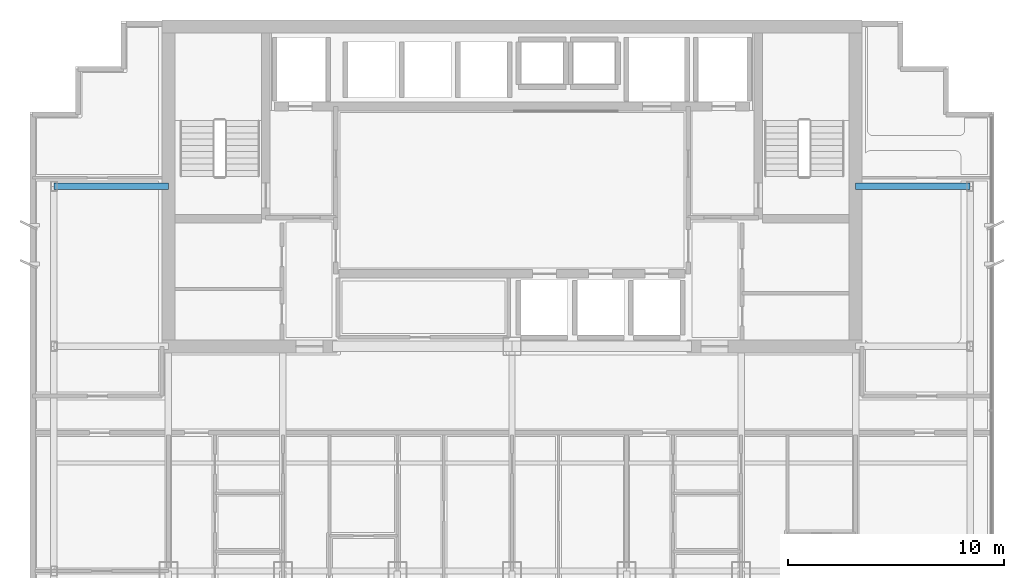
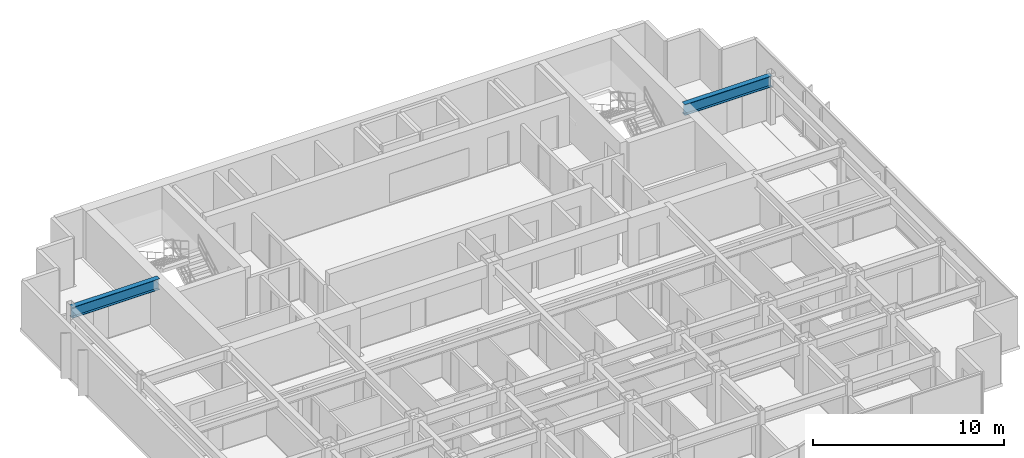
# One storey, part 5 of 13: 2 beams.
"""IFC4 building model written with IfcOpenShell, lengths in metres."""

from ifc_helpers import new_model, si_unit, direction, frame, origin, origin_2d, place, context, subcontext, project, spatial, i_section, extrude, material, material_profile, profile_set, type_object, element, save


model = new_model("IFC4")

# Units and contexts
model_context = context("Model", 3, precision=1e-05, world=origin(), true_north=direction((0.0, 1.0)))
body_context = subcontext(model_context, "Body", "Model", "MODEL_VIEW")
ifc_project = project(units=[si_unit("LENGTHUNIT", "METRE"), si_unit("AREAUNIT", "SQUARE_METRE"), si_unit("VOLUMEUNIT", "CUBIC_METRE"), si_unit("PLANEANGLEUNIT", "RADIAN"), si_unit("MASSUNIT", "GRAM", prefix="KILO")], contexts=[model_context])

# Site, building, storey
site_placement = place(None, origin())
site = spatial("IfcSite", under=ifc_project, at=site_placement, CompositionType="ELEMENT")
building_placement = place(site_placement, origin())
building = spatial("IfcBuilding", under=site, at=building_placement, Name="Qianlan Lanfeng Residences", CompositionType="ELEMENT")
storey_placement = place(building_placement, frame((0.0, 0.0, 178.800048828125)))
storey = spatial("IfcBuildingStorey", under=building, at=storey_placement, Name="L49", CompositionType="ELEMENT", Elevation=178.800048828125)

# Beams
ifc_material = material(Name="Steel SN490B", Category="steel")
ifc_material_profile = material_profile(ifc_material, i_section(OverallWidth=0.300048828125, OverallDepth=0.699951171875, WebThickness=0.012939453125, FlangeThickness=0.02392578125, at=origin_2d()), Name="H 700x300x13x24")
ifc_profile_set = profile_set([ifc_material_profile], Name="Steel SN490B")
beam_type = type_object("IfcBeamType", Name="G-750", PredefinedType="BEAM", material=ifc_profile_set)
for number, where, z_axis, x_axis, name in (
    (1, (5.300048828125, 32.60009765625, 2.75), (1.0, 0.0, 0.0), (0.0, 1.0, 0.0), "Structural beam G-750"),
    (2, (42.39990234375, 32.60009765625, 2.75), (1.0, 0.0, 0.0), (0.0, 1.0, 0.0), "Structural beam G-750"),
):
    element("IfcBeam", number, at=place(storey_placement, frame(where, z_axis=z_axis, x_axis=x_axis)), inside=storey, type_object=beam_type, Name=name, PredefinedType="BEAM", context=body_context, shape_type="SweptSolid", body=[
        extrude(i_section(OverallWidth=0.300048828125, OverallDepth=0.699951171875, WebThickness=0.012939453125, FlangeThickness=0.02392578125, at=origin_2d()), origin(), (0.0, 0.0, 1.0), 5.300048828125),
    ])

save(model, "model.ifc")
